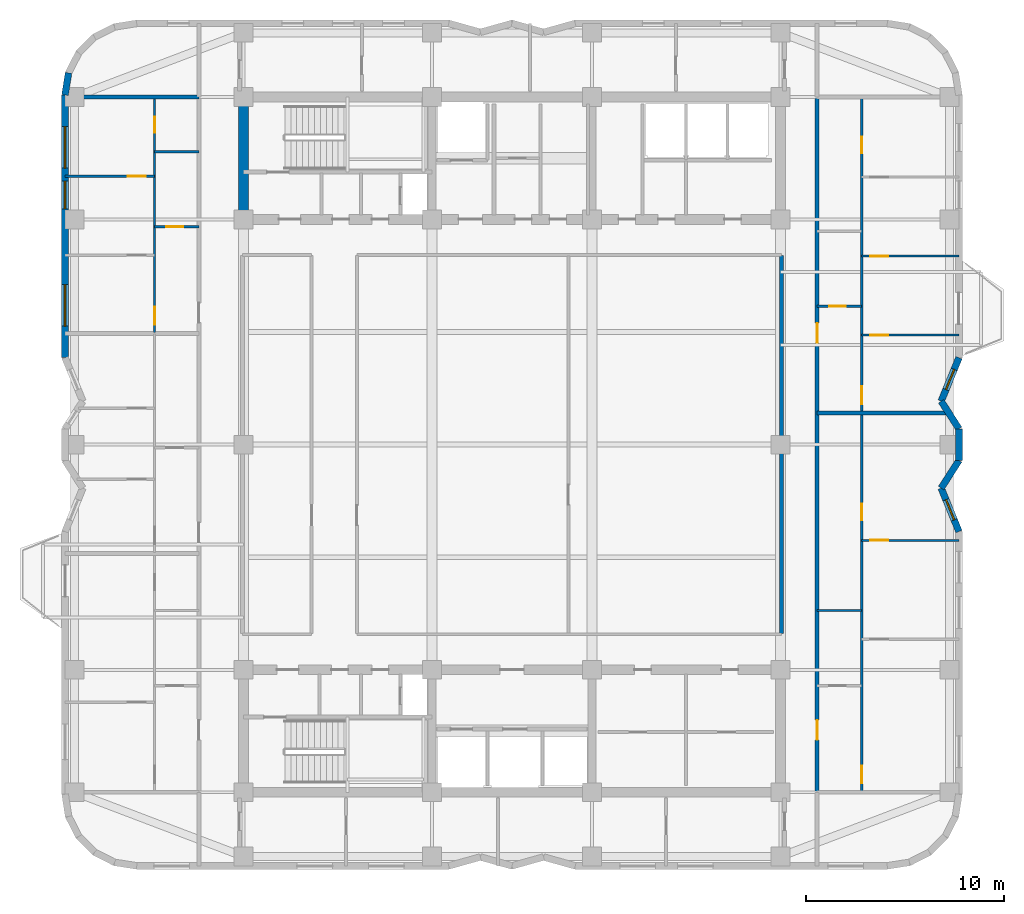
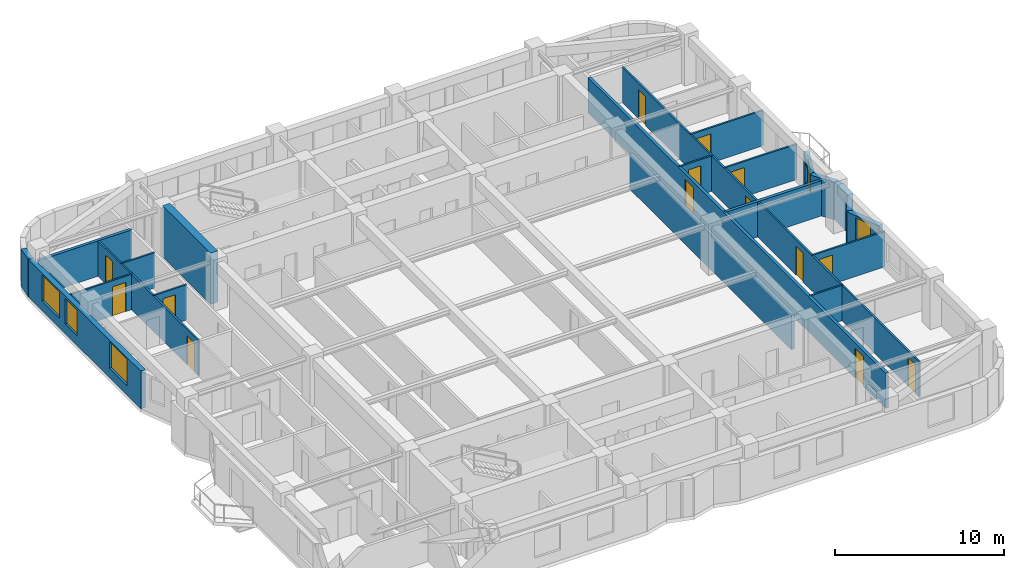
# One storey, part 5 of 9: 23 walls, 14 doors, 5 windows, 19 openings.
"""IFC4 building model written with IfcOpenShell, lengths in metres."""

from ifc_helpers import new_model, si_unit, direction, frame, frame_2d, origin, place, context, subcontext, project, spatial, rectangle, extrude, material, layer, layer_set, type_object, element, fill, save


model = new_model("IFC4")

# Units and contexts
model_context = context("Model", 3, precision=1e-05, world=origin(), true_north=direction((0.0, 1.0)))
body_context = subcontext(model_context, "Body", "Model", "MODEL_VIEW")
ifc_project = project(units=[si_unit("LENGTHUNIT", "METRE"), si_unit("AREAUNIT", "SQUARE_METRE"), si_unit("VOLUMEUNIT", "CUBIC_METRE"), si_unit("PLANEANGLEUNIT", "RADIAN"), si_unit("MASSUNIT", "GRAM", prefix="KILO")], contexts=[model_context])

# Site, building, storey
site_placement = place(None, origin())
site = spatial("IfcSite", under=ifc_project, at=site_placement, CompositionType="ELEMENT")
building_placement = place(site_placement, origin())
building = spatial("IfcBuilding", under=site, at=building_placement, Name="Svetorya Sky Lyceum", CompositionType="ELEMENT")
storey_placement = place(building_placement, frame((0.0, 0.0, 162.60009765625)))
storey = spatial("IfcBuildingStorey", under=building, at=storey_placement, Name="L40", CompositionType="ELEMENT", Elevation=162.60009765625)

# Wall
ifc_material_1 = material(Name="Concrete C50/60", Category="concrete")
ifc_layer_1 = layer(ifc_material_1, 0.5)
ifc_layer_set_1 = layer_set([ifc_layer_1], Name="Concrete C50/60")
wall_type_1 = type_object("IfcWallType", Name="WL-CORE-500", PredefinedType="SHEAR", material=ifc_layer_set_1)
wall_1_placement = place(storey_placement, frame((25.60009765625, 39.85009765625, 0.0), z_axis=(0.0, 0.0, 1.0), x_axis=(0.0, 1.0, 0.0)))
element("IfcWall", 1, at=wall_1_placement, inside=storey, type_object=wall_type_1, Name="L40 NC West Core Shear Wall", PredefinedType="SHEAR", context=body_context, shape_type="SweptSolid", body=[
    extrude(rectangle(XDim=5.699951171875, YDim=0.5, at=frame_2d((2.85009765625, 0.0))), origin(), (0.0, 0.0, 1.0), 3.699951171875),
])

# Wall, opening, window
ifc_material_2 = material(Name="Putilovo limestone rainscreen on autoclaved cellular masonry", Category="masonry")
ifc_layer_2 = layer(ifc_material_2, 0.340087890625)
ifc_layer_set_2 = layer_set([ifc_layer_2], Name="Putilovo limestone rainscreen on autoclaved cellular masonry")
wall_type_2 = type_object("IfcWallType", Name="WL-EXT-340", PredefinedType="SOLIDWALL", material=ifc_layer_set_2)
wall_2_placement = place(storey_placement, frame((61.830078125, 23.800048828125, 0.0), z_axis=(0.0, 0.0, 1.0), x_axis=(-0.378692835005, 0.925522412865, 0.0)))
wall_2 = element("IfcWall", 2, at=wall_2_placement, inside=storey, type_object=wall_type_2, Name="L40 Limestone Exterior Wall 18M", PredefinedType="SOLIDWALL", context=body_context, shape_type="SweptSolid", body=[
    extrude(rectangle(XDim=2.376953125, YDim=0.340087890625, at=frame_2d((1.1884765625, 0.0))), origin(), (0.0, 0.0, 1.0), 2.719970703125),
])
opening_1_placement = place(wall_2_placement, frame((0.638427734375, 0.0, 0.909912109375)))
opening_1 = element("IfcOpeningElement", 3, at=opening_1_placement, cuts=wall_2, Name="Opening W-R3", PredefinedType="OPENING", context=body_context, shape_type="SweptSolid", body=[
    extrude(rectangle(XDim=1.10009765625, YDim=1.64990234375, at=frame_2d((0.550048828125, 0.824951171875))), frame((0.0, 0.179931640625, 0.0), z_axis=(0.0, -1.0, 0.0), x_axis=(1.0, 0.0, 0.0)), (0.0, 0.0, 1.0), 0.360107421875),
])
ifc_material_3 = material(Name="Thermally broken aluminium frame with triple low-E glazing", Category="aluminium")
window_type_1 = type_object("IfcWindowType", Name="WN-RES-110", PartitioningType="SINGLE_PANEL", PredefinedType="WINDOW", material=ifc_material_3)
window_1_placement = place(opening_1_placement, origin())
window_1 = element("IfcWindow", 4, at=window_1_placement, inside=storey, type_object=window_type_1, Name="L40 Facade Window W-R3.18M.1", OverallHeight=1.64990234375, OverallWidth=1.10009765625, PartitioningType="SINGLE_PANEL", PredefinedType="WINDOW", context=body_context, shape_type="SweptSolid", body=[
    extrude(rectangle(XDim=1.10009765625, YDim=1.64990234375, at=frame_2d((0.550048828125, 0.824951171875))), frame((0.0, 0.030029296875, 0.0), z_axis=(0.0, -1.0, 0.0), x_axis=(1.0, 0.0, 0.0)), (0.0, 0.0, 1.0), 0.06005859375),
])
fill(opening_1, window_1)

# Walls
wall_3_placement = place(storey_placement, frame((60.929931640625, 26.0, 0.0), z_axis=(0.0, 0.0, 1.0), x_axis=(0.540846555596, 0.841121277403, 0.0)))
element("IfcWall", 5, at=wall_3_placement, inside=storey, type_object=wall_type_2, Name="L40 Limestone Exterior Wall 19M", PredefinedType="SOLIDWALL", context=body_context, shape_type="SweptSolid", body=[
    extrude(rectangle(XDim=1.664306640625, YDim=0.340087890625, at=frame_2d((0.83203125, 0.0))), origin(), (0.0, 0.0, 1.0), 2.719970703125),
])
wall_4_placement = place(storey_placement, frame((61.830078125, 27.39990234375, 0.0), z_axis=(0.0, 0.0, 1.0), x_axis=(0.0, 1.0, 0.0)))
element("IfcWall", 6, at=wall_4_placement, inside=storey, type_object=wall_type_2, Name="L40 Limestone Exterior Wall 20M", PredefinedType="SOLIDWALL", context=body_context, shape_type="SweptSolid", body=[
    extrude(rectangle(XDim=1.60009765625, YDim=0.340087890625, at=frame_2d((0.800048828125, 0.0))), origin(), (0.0, 0.0, 1.0), 2.719970703125),
])
wall_5_placement = place(storey_placement, frame((61.830078125, 29.0, 0.0), z_axis=(0.0, 0.0, 1.0), x_axis=(-0.540846555596, 0.841121277403, 0.0)))
element("IfcWall", 7, at=wall_5_placement, inside=storey, type_object=wall_type_2, Name="L40 Limestone Exterior Wall 21M", PredefinedType="SOLIDWALL", context=body_context, shape_type="SweptSolid", body=[
    extrude(rectangle(XDim=1.664306640625, YDim=0.340087890625, at=frame_2d((0.83203125, 0.0))), origin(), (0.0, 0.0, 1.0), 2.719970703125),
])

# Wall, opening, window
wall_6_placement = place(storey_placement, frame((60.929931640625, 30.39990234375, 0.0), z_axis=(0.0, 0.0, 1.0), x_axis=(0.378656839344, 0.925537140269, 0.0)))
wall_6 = element("IfcWall", 8, at=wall_6_placement, inside=storey, type_object=wall_type_2, Name="L40 Limestone Exterior Wall 22M", PredefinedType="SOLIDWALL", context=body_context, shape_type="SweptSolid", body=[
    extrude(rectangle(XDim=2.377197265625, YDim=0.340087890625, at=frame_2d((1.1884765625, 0.0))), origin(), (0.0, 0.0, 1.0), 2.719970703125),
])
opening_2_placement = place(wall_6_placement, frame((0.638427734375, 0.0, 0.909912109375)))
opening_2 = element("IfcOpeningElement", 9, at=opening_2_placement, cuts=wall_6, Name="Opening W-R3", PredefinedType="OPENING", context=body_context, shape_type="SweptSolid", body=[
    extrude(rectangle(XDim=1.10009765625, YDim=1.64990234375, at=frame_2d((0.550048828125, 0.824951171875))), frame((0.0, 0.179931640625, 0.0), z_axis=(0.0, -1.0, 0.0), x_axis=(1.0, 0.0, 0.0)), (0.0, 0.0, 1.0), 0.360107421875),
])
window_2_placement = place(opening_2_placement, origin())
window_2 = element("IfcWindow", 10, at=window_2_placement, inside=storey, type_object=window_type_1, Name="L40 Facade Window W-R3.22M.1", OverallHeight=1.64990234375, OverallWidth=1.10009765625, PartitioningType="SINGLE_PANEL", PredefinedType="WINDOW", context=body_context, shape_type="SweptSolid", body=[
    extrude(rectangle(XDim=1.10009765625, YDim=1.64990234375, at=frame_2d((0.550048828125, 0.824951171875))), frame((0.0, 0.030029296875, 0.0), z_axis=(0.0, -1.0, 0.0), x_axis=(1.0, 0.0, 0.0)), (0.0, 0.0, 1.0), 0.06005859375),
])
fill(opening_2, window_2)

# Wall
wall_7_placement = place(storey_placement, frame((16.747802734375, 47.021728515625, 0.0), z_axis=(0.0, 0.0, 1.0), x_axis=(-0.156481329164, -0.987680916907, 0.0)))
element("IfcWall", 11, at=wall_7_placement, inside=storey, type_object=wall_type_2, Name="L40 Limestone Exterior Wall 39M", PredefinedType="SOLIDWALL", context=body_context, shape_type="SweptSolid", body=[
    extrude(rectangle(XDim=1.1357421875, YDim=0.340087890625, at=frame_2d((0.56787109375, 0.0))), origin(), (0.0, 0.0, 1.0), 2.719970703125),
])

# Wall, openings, windows
wall_8_placement = place(storey_placement, frame((16.570068359375, 45.89990234375, 0.0), z_axis=(0.0, 0.0, 1.0), x_axis=(0.0, -1.0, 0.0)))
wall_8 = element("IfcWall", 12, at=wall_8_placement, inside=storey, type_object=wall_type_2, Name="L40 Limestone Exterior Wall 40M", PredefinedType="SOLIDWALL", context=body_context, shape_type="SweptSolid", body=[
    extrude(rectangle(XDim=13.2998046875, YDim=0.340087890625, at=frame_2d((6.64990234375, 0.0))), origin(), (0.0, 0.0, 1.0), 2.719970703125),
])
opening_3_placement = place(wall_8_placement, frame((1.60009765625, 0.0, 0.699951171875)))
opening_3 = element("IfcOpeningElement", 13, at=opening_3_placement, cuts=wall_8, Name="Opening W-R0", PredefinedType="OPENING", context=body_context, shape_type="SweptSolid", body=[
    extrude(rectangle(XDim=2.10009765625, YDim=1.89990234375, at=frame_2d((1.050048828125, 0.949951171875))), frame((0.0, 0.179931640625, 0.0), z_axis=(0.0, -1.0, 0.0), x_axis=(1.0, 0.0, 0.0)), (0.0, 0.0, 1.0), 0.360107421875),
])
opening_4_placement = place(wall_8_placement, frame((4.360107421875, 0.0, 0.7099609375)))
opening_4 = element("IfcOpeningElement", 14, at=opening_4_placement, cuts=wall_8, Name="Opening W-R2", PredefinedType="OPENING", context=body_context, shape_type="SweptSolid", body=[
    extrude(rectangle(XDim=1.39990234375, YDim=1.85009765625, at=frame_2d((0.699951171875, 0.925048828125))), frame((0.0, 0.179931640625, 0.0), z_axis=(0.0, -1.0, 0.0), x_axis=(1.0, 0.0, 0.0)), (0.0, 0.0, 1.0), 0.360107421875),
])
opening_5_placement = place(wall_8_placement, frame((9.60009765625, 0.0, 0.699951171875)))
opening_5 = element("IfcOpeningElement", 15, at=opening_5_placement, cuts=wall_8, Name="Opening W-R0", PredefinedType="OPENING", context=body_context, shape_type="SweptSolid", body=[
    extrude(rectangle(XDim=2.10009765625, YDim=1.89990234375, at=frame_2d((1.050048828125, 0.949951171875))), frame((0.0, 0.179931640625, 0.0), z_axis=(0.0, -1.0, 0.0), x_axis=(1.0, 0.0, 0.0)), (0.0, 0.0, 1.0), 0.360107421875),
])
window_type_2 = type_object("IfcWindowType", Name="WN-RES-140", PartitioningType="SINGLE_PANEL", PredefinedType="WINDOW", material=ifc_material_3)
window_3_placement = place(opening_4_placement, origin())
window_3 = element("IfcWindow", 16, at=window_3_placement, inside=storey, type_object=window_type_2, Name="L40 Facade Window W-R2.40M.3", OverallHeight=1.85009765625, OverallWidth=1.39990234375, PartitioningType="SINGLE_PANEL", PredefinedType="WINDOW", context=body_context, shape_type="SweptSolid", body=[
    extrude(rectangle(XDim=1.39990234375, YDim=1.85009765625, at=frame_2d((0.699951171875, 0.925048828125))), frame((0.0, 0.030029296875, 0.0), z_axis=(0.0, -1.0, 0.0), x_axis=(1.0, 0.0, 0.0)), (0.0, 0.0, 1.0), 0.06005859375),
])
fill(opening_4, window_3)
window_type_3 = type_object("IfcWindowType", Name="WN-RES-210", PartitioningType="TRIPLE_PANEL_VERTICAL", PredefinedType="WINDOW", material=ifc_material_3)
window_4_placement = place(opening_3_placement, origin())
window_4 = element("IfcWindow", 17, at=window_4_placement, inside=storey, type_object=window_type_3, Name="L40 Facade Window W-R0.40M.1", OverallHeight=1.89990234375, OverallWidth=2.10009765625, PartitioningType="SINGLE_PANEL", PredefinedType="WINDOW", context=body_context, shape_type="SweptSolid", body=[
    extrude(rectangle(XDim=2.10009765625, YDim=1.89990234375, at=frame_2d((1.050048828125, 0.949951171875))), frame((0.0, 0.030029296875, 0.0), z_axis=(0.0, -1.0, 0.0), x_axis=(1.0, 0.0, 0.0)), (0.0, 0.0, 1.0), 0.06005859375),
])
fill(opening_3, window_4)
window_5_placement = place(opening_5_placement, origin())
window_5 = element("IfcWindow", 18, at=window_5_placement, inside=storey, type_object=window_type_3, Name="L40 Facade Window W-R0.40M.2", OverallHeight=1.89990234375, OverallWidth=2.10009765625, PartitioningType="SINGLE_PANEL", PredefinedType="WINDOW", context=body_context, shape_type="SweptSolid", body=[
    extrude(rectangle(XDim=2.10009765625, YDim=1.89990234375, at=frame_2d((1.050048828125, 0.949951171875))), frame((0.0, 0.030029296875, 0.0), z_axis=(0.0, -1.0, 0.0), x_axis=(1.0, 0.0, 0.0)), (0.0, 0.0, 1.0), 0.06005859375),
])
fill(opening_5, window_5)

# Wall, opening, door
ifc_material_4 = material(Name="Twin-stud galvanized framing with double fireboard", Category="gypsum")
ifc_layer_3 = layer(ifc_material_4, 0.1201171875)
ifc_layer_set_3 = layer_set([ifc_layer_3], Name="Twin-stud galvanized framing with double fireboard")
wall_type_3 = type_object("IfcWallType", Name="WL-PART-120", PredefinedType="PARTITIONING", material=ifc_layer_set_3)
wall_9_placement = place(storey_placement, frame((21.10009765625, 39.23193359375, 0.0), z_axis=(0.0, 0.0, 1.0), x_axis=(1.0, 0.0, 0.0)))
wall_9 = element("IfcWall", 19, at=wall_9_placement, inside=storey, type_object=wall_type_3, Name="L40 Interior Partition W3-WH1", PredefinedType="PARTITIONING", context=body_context, shape_type="SweptSolid", body=[
    extrude(rectangle(XDim=2.25, YDim=0.1201171875, at=frame_2d((1.125, 0.0))), origin(), (0.0, 0.0, 1.0), 2.5498046875),
])
opening_6_placement = place(wall_9_placement, frame((0.60009765625, 0.0, 0.0)))
opening_6 = element("IfcOpeningElement", 20, at=opening_6_placement, cuts=wall_9, Name="Opening D-BT1", PredefinedType="OPENING", context=body_context, shape_type="SweptSolid", body=[
    extrude(rectangle(XDim=0.85009765625, YDim=2.10009765625, at=frame_2d((0.425048828125, 1.050048828125))), frame((0.0, 0.070068359375, 0.0), z_axis=(0.0, -1.0, 0.0), x_axis=(1.0, 0.0, 0.0)), (0.0, 0.0, 1.0), 0.14013671875),
])
ifc_material_5 = material(Name="Moisture-resistant laminate bathroom door")
door_type_1 = type_object("IfcDoorType", Name="DR-WET-850", OperationType="SINGLE_SWING_LEFT", PredefinedType="DOOR", material=ifc_material_5)
door_1_placement = place(opening_6_placement, origin())
door_1 = element("IfcDoor", 21, at=door_1_placement, inside=storey, type_object=door_type_1, Name="Apartment W3 Bathroom Door", OperationType="SINGLE_SWING_LEFT", OverallHeight=2.10009765625, OverallWidth=0.85009765625, PredefinedType="DOOR", context=body_context, shape_type="SweptSolid", body=[
    extrude(rectangle(XDim=0.85009765625, YDim=2.10009765625, at=frame_2d((0.425048828125, 1.050048828125))), frame((0.0, 0.02490234375, 0.0), z_axis=(0.0, -1.0, 0.0), x_axis=(1.0, 0.0, 0.0)), (0.0, 0.0, 1.0), 0.050048828125),
])
fill(opening_6, door_1)

# Wall
wall_10_placement = place(storey_placement, frame((21.10009765625, 43.031982421875, 0.0), z_axis=(0.0, 0.0, 1.0), x_axis=(1.0, 0.0, 0.0)))
element("IfcWall", 22, at=wall_10_placement, inside=storey, type_object=wall_type_3, Name="L40 Interior Partition W3-WH2", PredefinedType="PARTITIONING", context=body_context, shape_type="SweptSolid", body=[
    extrude(rectangle(XDim=2.25, YDim=0.1201171875, at=frame_2d((1.125, 0.0))), origin(), (0.0, 0.0, 1.0), 2.5498046875),
])

# Wall, opening, door
wall_11_placement = place(storey_placement, frame((16.570068359375, 41.781982421875, 0.0), z_axis=(0.0, 0.0, 1.0), x_axis=(1.0, 0.0, 0.0)))
wall_11 = element("IfcWall", 23, at=wall_11_placement, inside=storey, type_object=wall_type_3, Name="L40 Interior Partition W3-WL2", PredefinedType="PARTITIONING", context=body_context, shape_type="SweptSolid", body=[
    extrude(rectangle(XDim=4.530029296875, YDim=0.1201171875, at=frame_2d((2.26513671875, 0.0))), origin(), (0.0, 0.0, 1.0), 2.5498046875),
])
opening_7_placement = place(wall_11_placement, frame((3.179931640625, 0.0, 0.0)))
opening_7 = element("IfcOpeningElement", 24, at=opening_7_placement, cuts=wall_11, Name="Opening D-RM1", PredefinedType="OPENING", context=body_context, shape_type="SweptSolid", body=[
    extrude(rectangle(XDim=0.89990234375, YDim=2.10009765625, at=frame_2d((0.449951171875, 1.050048828125))), frame((0.0, 0.070068359375, 0.0), z_axis=(0.0, -1.0, 0.0), x_axis=(1.0, 0.0, 0.0)), (0.0, 0.0, 1.0), 0.14013671875),
])
ifc_material_6 = material(Name="Lacquered birch veneer internal door")
door_type_2 = type_object("IfcDoorType", Name="DR-INT-900", OperationType="SINGLE_SWING_LEFT", PredefinedType="DOOR", material=ifc_material_6)
door_2_placement = place(opening_7_placement, origin())
door_2 = element("IfcDoor", 25, at=door_2_placement, inside=storey, type_object=door_type_2, Name="Apartment W3 Bedroom 2 Door", OperationType="SINGLE_SWING_RIGHT", OverallHeight=2.10009765625, OverallWidth=0.89990234375, PredefinedType="DOOR", context=body_context, shape_type="SweptSolid", body=[
    extrude(rectangle(XDim=0.89990234375, YDim=2.10009765625, at=frame_2d((0.449951171875, 1.050048828125))), frame((0.0, 0.02490234375, 0.0), z_axis=(0.0, -1.0, 0.0), x_axis=(1.0, 0.0, 0.0)), (0.0, 0.0, 1.0), 0.050048828125),
])
fill(opening_7, door_2)

# Wall, openings, doors
wall_12_placement = place(storey_placement, frame((21.10009765625, 33.8720703125, 0.0), z_axis=(0.0, 0.0, 1.0), x_axis=(0.0, 1.0, 0.0)))
wall_12 = element("IfcWall", 26, at=wall_12_placement, inside=storey, type_object=wall_type_3, Name="L40 Interior Partition W3-WV", PredefinedType="PARTITIONING", context=body_context, shape_type="SweptSolid", body=[
    extrude(rectangle(XDim=11.887939453125, YDim=0.1201171875, at=frame_2d((5.94384765625, 0.0))), origin(), (0.0, 0.0, 1.0), 2.5498046875),
])
opening_8_placement = place(wall_12_placement, frame((0.409912109375, 0.0, 0.0)))
opening_8 = element("IfcOpeningElement", 27, at=opening_8_placement, cuts=wall_12, Name="Opening D-RM1", PredefinedType="OPENING", context=body_context, shape_type="SweptSolid", body=[
    extrude(rectangle(XDim=0.89990234375, YDim=2.10009765625, at=frame_2d((0.449951171875, 1.050048828125))), frame((0.0, 0.070068359375, 0.0), z_axis=(0.0, -1.0, 0.0), x_axis=(1.0, 0.0, 0.0)), (0.0, 0.0, 1.0), 0.14013671875),
])
opening_9_placement = place(wall_12_placement, frame((10.118896484375, 0.0, 0.0)))
opening_9 = element("IfcOpeningElement", 28, at=opening_9_placement, cuts=wall_12, Name="Opening D-BT2", PredefinedType="OPENING", context=body_context, shape_type="SweptSolid", body=[
    extrude(rectangle(XDim=0.820068359375, YDim=2.080078125, at=frame_2d((0.41015625, 1.0400390625))), frame((0.0, 0.070068359375, 0.0), z_axis=(0.0, -1.0, 0.0), x_axis=(1.0, 0.0, 0.0)), (0.0, 0.0, 1.0), 0.14013671875),
])
door_3_placement = place(opening_8_placement, origin())
door_3 = element("IfcDoor", 29, at=door_3_placement, inside=storey, type_object=door_type_2, Name="Apartment W3 Living Door", OperationType="SINGLE_SWING_RIGHT", OverallHeight=2.10009765625, OverallWidth=0.89990234375, PredefinedType="DOOR", context=body_context, shape_type="SweptSolid", body=[
    extrude(rectangle(XDim=0.89990234375, YDim=2.10009765625, at=frame_2d((0.449951171875, 1.050048828125))), frame((0.0, 0.02490234375, 0.0), z_axis=(0.0, -1.0, 0.0), x_axis=(1.0, 0.0, 0.0)), (0.0, 0.0, 1.0), 0.050048828125),
])
fill(opening_8, door_3)
ifc_material_7 = material(Name="Compact moisture-resistant laminate closet door")
door_type_3 = type_object("IfcDoorType", Name="DR-WET-820", OperationType="SINGLE_SWING_LEFT", PredefinedType="DOOR", material=ifc_material_7)
door_4_placement = place(opening_9_placement, origin())
door_4 = element("IfcDoor", 30, at=door_4_placement, inside=storey, type_object=door_type_3, Name="Apartment W3 Study Door", OperationType="SINGLE_SWING_LEFT", OverallHeight=2.080078125, OverallWidth=0.820068359375, PredefinedType="DOOR", context=body_context, shape_type="SweptSolid", body=[
    extrude(rectangle(XDim=0.820068359375, YDim=2.080078125, at=frame_2d((0.41015625, 1.0400390625))), frame((0.0, 0.02490234375, 0.0), z_axis=(0.0, -1.0, 0.0), x_axis=(1.0, 0.0, 0.0)), (0.0, 0.0, 1.0), 0.050048828125),
])
fill(opening_9, door_4)

# Wall
wall_13_placement = place(storey_placement, frame((54.64990234375, 19.800048828125, 0.0), z_axis=(0.0, 0.0, 1.0), x_axis=(1.0, 0.0, 0.0)))
element("IfcWall", 31, at=wall_13_placement, inside=storey, type_object=wall_type_3, Name="L40 Interior Partition E1-WH2", PredefinedType="PARTITIONING", context=body_context, shape_type="SweptSolid", body=[
    extrude(rectangle(XDim=2.25, YDim=0.1201171875, at=frame_2d((1.125, 0.0))), origin(), (0.0, 0.0, 1.0), 2.5498046875),
])

# Wall, opening, door
wall_14_placement = place(storey_placement, frame((56.89990234375, 23.35009765625, 0.0), z_axis=(0.0, 0.0, 1.0), x_axis=(1.0, 0.0, 0.0)))
wall_14 = element("IfcWall", 32, at=wall_14_placement, inside=storey, type_object=wall_type_3, Name="L40 Interior Partition E1-WL2", PredefinedType="PARTITIONING", context=body_context, shape_type="SweptSolid", body=[
    extrude(rectangle(XDim=4.93017578125, YDim=0.1201171875, at=frame_2d((2.465087890625, 0.0))), origin(), (0.0, 0.0, 1.0), 2.5498046875),
])
opening_10_placement = place(wall_14_placement, frame((0.449951171875, 0.0, 0.0)))
opening_10 = element("IfcOpeningElement", 33, at=opening_10_placement, cuts=wall_14, Name="Opening D-RM1", PredefinedType="OPENING", context=body_context, shape_type="SweptSolid", body=[
    extrude(rectangle(XDim=0.89990234375, YDim=2.10009765625, at=frame_2d((0.449951171875, 1.050048828125))), frame((0.0, 0.070068359375, 0.0), z_axis=(0.0, -1.0, 0.0), x_axis=(1.0, 0.0, 0.0)), (0.0, 0.0, 1.0), 0.14013671875),
])
door_5_placement = place(opening_10_placement, origin())
door_5 = element("IfcDoor", 34, at=door_5_placement, inside=storey, type_object=door_type_2, Name="Apartment E1 Bedroom 2 Door", OperationType="SINGLE_SWING_LEFT", OverallHeight=2.10009765625, OverallWidth=0.89990234375, PredefinedType="DOOR", context=body_context, shape_type="SweptSolid", body=[
    extrude(rectangle(XDim=0.89990234375, YDim=2.10009765625, at=frame_2d((0.449951171875, 1.050048828125))), frame((0.0, 0.02490234375, 0.0), z_axis=(0.0, -1.0, 0.0), x_axis=(1.0, 0.0, 0.0)), (0.0, 0.0, 1.0), 0.050048828125),
])
fill(opening_10, door_5)

# Wall, openings, doors
wall_15_placement = place(storey_placement, frame((56.89990234375, 10.639892578125, 0.0), z_axis=(0.0, 0.0, 1.0), x_axis=(0.0, 1.0, 0.0)))
wall_15 = element("IfcWall", 35, at=wall_15_placement, inside=storey, type_object=wall_type_3, Name="L40 Interior Partition E1-WV", PredefinedType="PARTITIONING", context=body_context, shape_type="SweptSolid", body=[
    extrude(rectangle(XDim=19.1201171875, YDim=0.1201171875, at=frame_2d((9.56005859375, 0.0))), origin(), (0.0, 0.0, 1.0), 2.5498046875),
])
opening_11_placement = place(wall_15_placement, frame((0.409912109375, 0.0, 0.0)))
opening_11 = element("IfcOpeningElement", 36, at=opening_11_placement, cuts=wall_15, Name="Opening D-RM1", PredefinedType="OPENING", context=body_context, shape_type="SweptSolid", body=[
    extrude(rectangle(XDim=0.89990234375, YDim=2.10009765625, at=frame_2d((0.449951171875, 1.050048828125))), frame((0.0, 0.070068359375, 0.0), z_axis=(0.0, -1.0, 0.0), x_axis=(1.0, 0.0, 0.0)), (0.0, 0.0, 1.0), 0.14013671875),
])
opening_12_placement = place(wall_15_placement, frame((13.735107421875, 0.0, 0.0)))
opening_12 = element("IfcOpeningElement", 37, at=opening_12_placement, cuts=wall_15, Name="Opening D-BT2", PredefinedType="OPENING", context=body_context, shape_type="SweptSolid", body=[
    extrude(rectangle(XDim=0.820068359375, YDim=2.080078125, at=frame_2d((0.41015625, 1.0400390625))), frame((0.0, 0.070068359375, 0.0), z_axis=(0.0, -1.0, 0.0), x_axis=(1.0, 0.0, 0.0)), (0.0, 0.0, 1.0), 0.14013671875),
])
door_6_placement = place(opening_11_placement, origin())
door_6 = element("IfcDoor", 38, at=door_6_placement, inside=storey, type_object=door_type_2, Name="Apartment E1 Living Door", OperationType="SINGLE_SWING_LEFT", OverallHeight=2.10009765625, OverallWidth=0.89990234375, PredefinedType="DOOR", context=body_context, shape_type="SweptSolid", body=[
    extrude(rectangle(XDim=0.89990234375, YDim=2.10009765625, at=frame_2d((0.449951171875, 1.050048828125))), frame((0.0, 0.02490234375, 0.0), z_axis=(0.0, -1.0, 0.0), x_axis=(1.0, 0.0, 0.0)), (0.0, 0.0, 1.0), 0.050048828125),
])
fill(opening_11, door_6)
door_7_placement = place(opening_12_placement, origin())
door_7 = element("IfcDoor", 39, at=door_7_placement, inside=storey, type_object=door_type_3, Name="Apartment E1 Study Door", OperationType="SINGLE_SWING_RIGHT", OverallHeight=2.080078125, OverallWidth=0.820068359375, PredefinedType="DOOR", context=body_context, shape_type="SweptSolid", body=[
    extrude(rectangle(XDim=0.820068359375, YDim=2.080078125, at=frame_2d((0.41015625, 1.0400390625))), frame((0.0, 0.02490234375, 0.0), z_axis=(0.0, -1.0, 0.0), x_axis=(1.0, 0.0, 0.0)), (0.0, 0.0, 1.0), 0.050048828125),
])
fill(opening_12, door_7)

# Wall, opening, door
wall_16_placement = place(storey_placement, frame((54.64990234375, 35.199951171875, 0.0), z_axis=(0.0, 0.0, 1.0), x_axis=(1.0, 0.0, 0.0)))
wall_16 = element("IfcWall", 40, at=wall_16_placement, inside=storey, type_object=wall_type_3, Name="L40 Interior Partition E2-WH1", PredefinedType="PARTITIONING", context=body_context, shape_type="SweptSolid", body=[
    extrude(rectangle(XDim=2.25, YDim=0.1201171875, at=frame_2d((1.125, 0.0))), origin(), (0.0, 0.0, 1.0), 2.5498046875),
])
opening_13_placement = place(wall_16_placement, frame((0.60009765625, 0.0, 0.0)))
opening_13 = element("IfcOpeningElement", 41, at=opening_13_placement, cuts=wall_16, Name="Opening D-BT1", PredefinedType="OPENING", context=body_context, shape_type="SweptSolid", body=[
    extrude(rectangle(XDim=0.85009765625, YDim=2.10009765625, at=frame_2d((0.425048828125, 1.050048828125))), frame((0.0, 0.070068359375, 0.0), z_axis=(0.0, -1.0, 0.0), x_axis=(1.0, 0.0, 0.0)), (0.0, 0.0, 1.0), 0.14013671875),
])
door_8_placement = place(opening_13_placement, origin())
door_8 = element("IfcDoor", 42, at=door_8_placement, inside=storey, type_object=door_type_1, Name="Apartment E2 Bathroom Door", OperationType="SINGLE_SWING_LEFT", OverallHeight=2.10009765625, OverallWidth=0.85009765625, PredefinedType="DOOR", context=body_context, shape_type="SweptSolid", body=[
    extrude(rectangle(XDim=0.85009765625, YDim=2.10009765625, at=frame_2d((0.425048828125, 1.050048828125))), frame((0.0, 0.02490234375, 0.0), z_axis=(0.0, -1.0, 0.0), x_axis=(1.0, 0.0, 0.0)), (0.0, 0.0, 1.0), 0.050048828125),
])
fill(opening_13, door_8)

wall_17_placement = place(storey_placement, frame((56.89990234375, 33.75, 0.0), z_axis=(0.0, 0.0, 1.0), x_axis=(1.0, 0.0, 0.0)))
wall_17 = element("IfcWall", 43, at=wall_17_placement, inside=storey, type_object=wall_type_3, Name="L40 Interior Partition E2-WL1", PredefinedType="PARTITIONING", context=body_context, shape_type="SweptSolid", body=[
    extrude(rectangle(XDim=4.93017578125, YDim=0.1201171875, at=frame_2d((2.465087890625, 0.0))), origin(), (0.0, 0.0, 1.0), 2.5498046875),
])
opening_14_placement = place(wall_17_placement, frame((0.449951171875, 0.0, 0.0)))
opening_14 = element("IfcOpeningElement", 44, at=opening_14_placement, cuts=wall_17, Name="Opening D-RM1", PredefinedType="OPENING", context=body_context, shape_type="SweptSolid", body=[
    extrude(rectangle(XDim=0.89990234375, YDim=2.10009765625, at=frame_2d((0.449951171875, 1.050048828125))), frame((0.0, 0.070068359375, 0.0), z_axis=(0.0, -1.0, 0.0), x_axis=(1.0, 0.0, 0.0)), (0.0, 0.0, 1.0), 0.14013671875),
])
door_9_placement = place(opening_14_placement, origin())
door_9 = element("IfcDoor", 45, at=door_9_placement, inside=storey, type_object=door_type_2, Name="Apartment E2 Master Bedroom Door", OperationType="SINGLE_SWING_LEFT", OverallHeight=2.10009765625, OverallWidth=0.89990234375, PredefinedType="DOOR", context=body_context, shape_type="SweptSolid", body=[
    extrude(rectangle(XDim=0.89990234375, YDim=2.10009765625, at=frame_2d((0.449951171875, 1.050048828125))), frame((0.0, 0.02490234375, 0.0), z_axis=(0.0, -1.0, 0.0), x_axis=(1.0, 0.0, 0.0)), (0.0, 0.0, 1.0), 0.050048828125),
])
fill(opening_14, door_9)

wall_18_placement = place(storey_placement, frame((56.89990234375, 37.75, 0.0), z_axis=(0.0, 0.0, 1.0), x_axis=(1.0, 0.0, 0.0)))
wall_18 = element("IfcWall", 46, at=wall_18_placement, inside=storey, type_object=wall_type_3, Name="L40 Interior Partition E2-WL2", PredefinedType="PARTITIONING", context=body_context, shape_type="SweptSolid", body=[
    extrude(rectangle(XDim=4.93017578125, YDim=0.1201171875, at=frame_2d((2.465087890625, 0.0))), origin(), (0.0, 0.0, 1.0), 2.5498046875),
])
opening_15_placement = place(wall_18_placement, frame((0.449951171875, 0.0, 0.0)))
opening_15 = element("IfcOpeningElement", 47, at=opening_15_placement, cuts=wall_18, Name="Opening D-RM1", PredefinedType="OPENING", context=body_context, shape_type="SweptSolid", body=[
    extrude(rectangle(XDim=0.89990234375, YDim=2.10009765625, at=frame_2d((0.449951171875, 1.050048828125))), frame((0.0, 0.070068359375, 0.0), z_axis=(0.0, -1.0, 0.0), x_axis=(1.0, 0.0, 0.0)), (0.0, 0.0, 1.0), 0.14013671875),
])
door_10_placement = place(opening_15_placement, origin())
door_10 = element("IfcDoor", 48, at=door_10_placement, inside=storey, type_object=door_type_2, Name="Apartment E2 Bedroom 2 Door", OperationType="SINGLE_SWING_RIGHT", OverallHeight=2.10009765625, OverallWidth=0.89990234375, PredefinedType="DOOR", context=body_context, shape_type="SweptSolid", body=[
    extrude(rectangle(XDim=0.89990234375, YDim=2.10009765625, at=frame_2d((0.449951171875, 1.050048828125))), frame((0.0, 0.02490234375, 0.0), z_axis=(0.0, -1.0, 0.0), x_axis=(1.0, 0.0, 0.0)), (0.0, 0.0, 1.0), 0.050048828125),
])
fill(opening_15, door_10)

# Wall, openings, doors
wall_19_placement = place(storey_placement, frame((56.89990234375, 29.840087890625, 0.0), z_axis=(0.0, 0.0, 1.0), x_axis=(0.0, 1.0, 0.0)))
wall_19 = element("IfcWall", 49, at=wall_19_placement, inside=storey, type_object=wall_type_3, Name="L40 Interior Partition E2-WV", PredefinedType="PARTITIONING", context=body_context, shape_type="SweptSolid", body=[
    extrude(rectangle(XDim=15.919921875, YDim=0.1201171875, at=frame_2d((7.9599609375, 0.0))), origin(), (0.0, 0.0, 1.0), 2.5498046875),
])
opening_16_placement = place(wall_19_placement, frame((0.409912109375, 0.0, 0.0)))
opening_16 = element("IfcOpeningElement", 50, at=opening_16_placement, cuts=wall_19, Name="Opening D-RM1", PredefinedType="OPENING", context=body_context, shape_type="SweptSolid", body=[
    extrude(rectangle(XDim=0.89990234375, YDim=2.10009765625, at=frame_2d((0.449951171875, 1.050048828125))), frame((0.0, 0.070068359375, 0.0), z_axis=(0.0, -1.0, 0.0), x_axis=(1.0, 0.0, 0.0)), (0.0, 0.0, 1.0), 0.14013671875),
])
opening_17_placement = place(wall_19_placement, frame((13.125, 0.0, 0.0)))
opening_17 = element("IfcOpeningElement", 51, at=opening_17_placement, cuts=wall_19, Name="Opening D-BT2", PredefinedType="OPENING", context=body_context, shape_type="SweptSolid", body=[
    extrude(rectangle(XDim=0.820068359375, YDim=2.080078125, at=frame_2d((0.41015625, 1.0400390625))), frame((0.0, 0.070068359375, 0.0), z_axis=(0.0, -1.0, 0.0), x_axis=(1.0, 0.0, 0.0)), (0.0, 0.0, 1.0), 0.14013671875),
])
door_11_placement = place(opening_16_placement, origin())
door_11 = element("IfcDoor", 52, at=door_11_placement, inside=storey, type_object=door_type_2, Name="Apartment E2 Living Door", OperationType="SINGLE_SWING_RIGHT", OverallHeight=2.10009765625, OverallWidth=0.89990234375, PredefinedType="DOOR", context=body_context, shape_type="SweptSolid", body=[
    extrude(rectangle(XDim=0.89990234375, YDim=2.10009765625, at=frame_2d((0.449951171875, 1.050048828125))), frame((0.0, 0.02490234375, 0.0), z_axis=(0.0, -1.0, 0.0), x_axis=(1.0, 0.0, 0.0)), (0.0, 0.0, 1.0), 0.050048828125),
])
fill(opening_16, door_11)
door_12_placement = place(opening_17_placement, origin())
door_12 = element("IfcDoor", 53, at=door_12_placement, inside=storey, type_object=door_type_3, Name="Apartment E2 Study Door", OperationType="SINGLE_SWING_LEFT", OverallHeight=2.080078125, OverallWidth=0.820068359375, PredefinedType="DOOR", context=body_context, shape_type="SweptSolid", body=[
    extrude(rectangle(XDim=0.820068359375, YDim=2.080078125, at=frame_2d((0.41015625, 1.0400390625))), frame((0.0, 0.02490234375, 0.0), z_axis=(0.0, -1.0, 0.0), x_axis=(1.0, 0.0, 0.0)), (0.0, 0.0, 1.0), 0.050048828125),
])
fill(opening_17, door_12)

# Walls
ifc_material_8 = material(Name="Autoclaved cellular masonry blockwork with gypsum plaster", Category="masonry")
ifc_layer_4 = layer(ifc_material_8, 0.199951171875)
ifc_layer_set_4 = layer_set([ifc_layer_4], Name="Autoclaved cellular masonry blockwork with gypsum plaster")
wall_type_4 = type_object("IfcWallType", Name="WL-PART-200", PredefinedType="PARTITIONING", material=ifc_layer_set_4)
wall_20_placement = place(storey_placement, frame((52.85009765625, 18.6298828125, 0.0), z_axis=(0.0, 0.0, 1.0), x_axis=(0.0, 1.0, 0.0)))
element("IfcWall", 54, at=wall_20_placement, inside=storey, type_object=wall_type_4, Name="L40 Interior Partition E-CEN-SEP", PredefinedType="PARTITIONING", context=body_context, shape_type="SweptSolid", body=[
    extrude(rectangle(XDim=19.14013671875, YDim=0.199951171875, at=frame_2d((9.570068359375, 0.0))), origin(), (0.0, 0.0, 1.0), 2.5498046875),
])
wall_21_placement = place(storey_placement, frame((16.989990234375, 45.800048828125, 0.0), z_axis=(0.0, 0.0, 1.0), x_axis=(1.0, 0.0, 0.0)))
element("IfcWall", 55, at=wall_21_placement, inside=storey, type_object=wall_type_4, Name="L40 Interior Partition W-CAP-N", PredefinedType="PARTITIONING", context=body_context, shape_type="SweptSolid", body=[
    extrude(rectangle(XDim=6.360107421875, YDim=0.199951171875, at=frame_2d((3.18017578125, 0.0))), origin(), (0.0, 0.0, 1.0), 2.5498046875),
])
wall_22_placement = place(storey_placement, frame((54.64990234375, 29.800048828125, 0.0), z_axis=(0.0, 0.0, 1.0), x_axis=(1.0, 0.0, 0.0)))
element("IfcWall", 56, at=wall_22_placement, inside=storey, type_object=wall_type_4, Name="L40 Interior Partition E-PARTY-1", PredefinedType="PARTITIONING", context=body_context, shape_type="SweptSolid", body=[
    extrude(rectangle(XDim=6.665771484375, YDim=0.199951171875, at=frame_2d((3.3330078125, 0.0))), origin(), (0.0, 0.0, 1.0), 2.5498046875),
])

# Wall, openings, doors
wall_23_placement = place(storey_placement, frame((54.64990234375, 10.60009765625, 0.0), z_axis=(0.0, 0.0, 1.0), x_axis=(0.0, 1.0, 0.0)))
wall_23 = element("IfcWall", 57, at=wall_23_placement, inside=storey, type_object=wall_type_4, Name="L40 Interior Partition E-CORRW", PredefinedType="PARTITIONING", context=body_context, shape_type="SweptSolid", body=[
    extrude(rectangle(XDim=35.199951171875, YDim=0.199951171875, at=frame_2d((17.60009765625, 0.0))), origin(), (0.0, 0.0, 1.0), 2.5498046875),
])
opening_18_placement = place(wall_23_placement, frame((2.64990234375, 0.0, 0.0)))
opening_18 = element("IfcOpeningElement", 58, at=opening_18_placement, cuts=wall_23, Name="Opening D-APT1", PredefinedType="OPENING", context=body_context, shape_type="SweptSolid", body=[
    extrude(rectangle(XDim=1.0, YDim=2.14990234375, at=frame_2d((0.5, 1.074951171875))), frame((0.0, 0.10986328125, 0.0), z_axis=(0.0, -1.0, 0.0), x_axis=(1.0, 0.0, 0.0)), (0.0, 0.0, 1.0), 0.219970703125),
])
opening_19_placement = place(wall_23_placement, frame((22.75, 0.0, 0.0)))
opening_19 = element("IfcOpeningElement", 59, at=opening_19_placement, cuts=wall_23, Name="Opening D-APT1", PredefinedType="OPENING", context=body_context, shape_type="SweptSolid", body=[
    extrude(rectangle(XDim=1.0, YDim=2.14990234375, at=frame_2d((0.5, 1.074951171875))), frame((0.0, 0.10986328125, 0.0), z_axis=(0.0, -1.0, 0.0), x_axis=(1.0, 0.0, 0.0)), (0.0, 0.0, 1.0), 0.219970703125),
])
ifc_material_9 = material(Name="Insulated oak-veneered apartment entrance door")
door_type_4 = type_object("IfcDoorType", Name="DR-APT-1000", OperationType="SINGLE_SWING_LEFT", PredefinedType="DOOR", material=ifc_material_9)
door_13_placement = place(opening_18_placement, origin())
door_13 = element("IfcDoor", 60, at=door_13_placement, inside=storey, type_object=door_type_4, Name="L40 Apartment E1 Entrance Door", OperationType="SINGLE_SWING_RIGHT", OverallHeight=2.14990234375, OverallWidth=1.0, PredefinedType="DOOR", context=body_context, shape_type="SweptSolid", body=[
    extrude(rectangle(XDim=1.0, YDim=2.14990234375, at=frame_2d((0.5, 1.074951171875))), frame((0.0, 0.02490234375, 0.0), z_axis=(0.0, -1.0, 0.0), x_axis=(1.0, 0.0, 0.0)), (0.0, 0.0, 1.0), 0.050048828125),
])
fill(opening_18, door_13)
door_14_placement = place(opening_19_placement, origin())
door_14 = element("IfcDoor", 61, at=door_14_placement, inside=storey, type_object=door_type_4, Name="L40 Apartment E2 Entrance Door", OperationType="SINGLE_SWING_LEFT", OverallHeight=2.14990234375, OverallWidth=1.0, PredefinedType="DOOR", context=body_context, shape_type="SweptSolid", body=[
    extrude(rectangle(XDim=1.0, YDim=2.14990234375, at=frame_2d((0.5, 1.074951171875))), frame((0.0, 0.02490234375, 0.0), z_axis=(0.0, -1.0, 0.0), x_axis=(1.0, 0.0, 0.0)), (0.0, 0.0, 1.0), 0.050048828125),
])
fill(opening_19, door_14)

save(model, "model.ifc")
